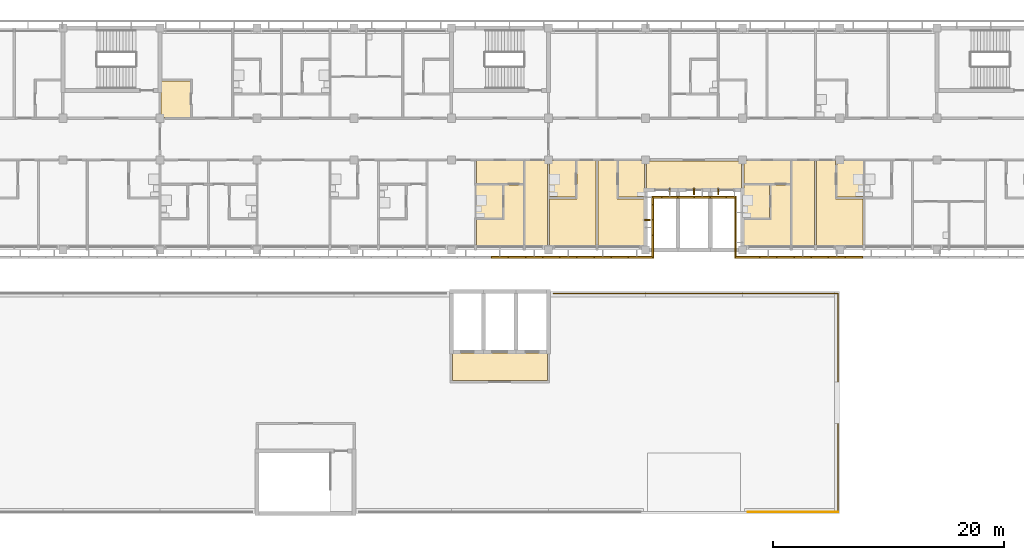
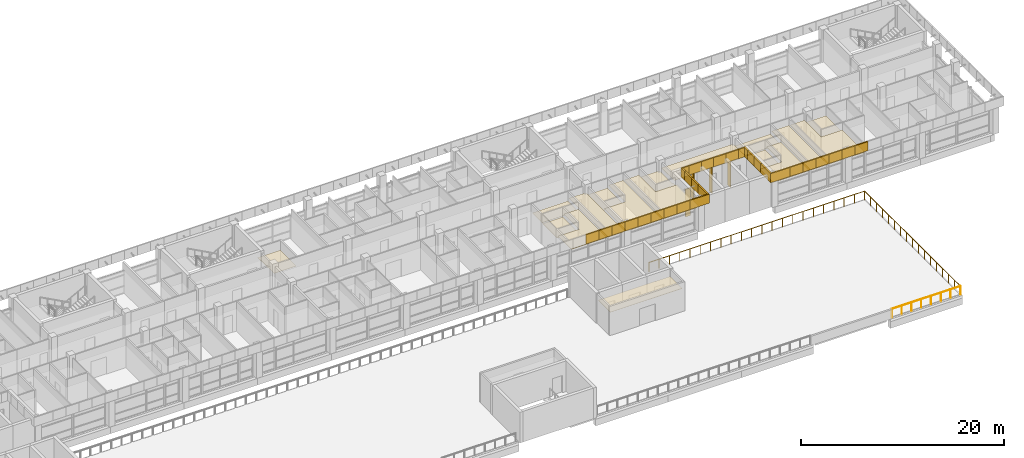
# One storey, part 42 of 46: 47 coverings, 4 shading devices, 2 railings.
"""IFC4 building model written with IfcOpenShell, lengths in metres."""

import ifcopenshell
import ifcopenshell.guid

model = None  # the IFC model being written
_history = None  # IfcOwnerHistory: only IFC2X3 demands one
_inside = {}  # id of a spatial element -> (the spatial element, [elements in it])
_under = {}  # id of a project, library or spatial element -> (it, [spatial elements below it])
_declared = {}  # id of a project -> (the project, [libraries it declares])
_typed = {}  # id of a type object -> (the type object, [elements of that type])
_made_of = {}  # id of a material, layer set ... -> (it, [elements and type objects made of it])


def new_model(schema):
    """Start an empty IFC model of exactly this schema.

    Asked for "IFC4X3", IfcOpenShell would pick the latest addendum, in which some entities
    have other attributes; the version numbers below select the first issue.
    IFC2X3 requires an IfcOwnerHistory on every rooted entity: one is made here for all.
    """
    global model, _history
    if schema == "IFC4X3":
        model = ifcopenshell.file(schema_version=(4, 3, 0, 0))
    else:
        model = ifcopenshell.file(schema=schema)
    _inside.clear()
    _under.clear()
    _declared.clear()
    _typed.clear()
    _made_of.clear()
    _history = None
    if model.schema == "IFC2X3":
        org = make("IfcOrganization", Name="unknown")
        user = make(
            "IfcPersonAndOrganization",
            ThePerson=make("IfcPerson", FamilyName="unknown"),
            TheOrganization=org,
        )
        app = make(
            "IfcApplication",
            ApplicationDeveloper=org,
            Version="unknown",
            ApplicationFullName="unknown",
            ApplicationIdentifier="unknown",
        )
        _history = make(
            "IfcOwnerHistory",
            OwningUser=user,
            OwningApplication=app,
            ChangeAction="ADDED",
            CreationDate=0,
        )
    return model


def make(cls, **values):
    """One entity of the class cls with the attributes given. An attribute that is None is left unset."""
    return model.create_entity(
        cls, **{name: value for name, value in values.items() if value is not None}
    )


def rooted(cls, **values):
    """An entity with a GlobalId (a new one), such as an element, a storey or a relation."""
    return make(cls, GlobalId=ifcopenshell.guid.new(), OwnerHistory=_history, **values)


def si_unit(unit_type, name, prefix=None):
    """IfcSIUnit, for example si_unit("LENGTHUNIT", "METRE", prefix="MILLI")."""
    return make("IfcSIUnit", UnitType=unit_type, Prefix=prefix, Name=name)


def assignment(units):
    """IfcUnitAssignment: the units of a project."""
    return None if units is None else make("IfcUnitAssignment", Units=units)


def point(xyz):
    """IfcCartesianPoint."""
    return None if xyz is None else make("IfcCartesianPoint", Coordinates=xyz)


def direction(xyz):
    """IfcDirection."""
    return None if xyz is None else make("IfcDirection", DirectionRatios=xyz)


def frame(location, z_axis=None, x_axis=None):
    """IfcAxis2Placement3D, a coordinate frame: its origin and axes. An axis left out is left unset."""
    return make(
        "IfcAxis2Placement3D",
        Location=point(location),
        Axis=direction(z_axis),
        RefDirection=direction(x_axis),
    )


def frame_2d(location, x_axis=None):
    """IfcAxis2Placement2D, a coordinate frame in the plane: its origin and x axis."""
    return make(
        "IfcAxis2Placement2D", Location=point(location), RefDirection=direction(x_axis)
    )


def origin():
    """The frame at (0, 0, 0) with its axes left unset."""
    return frame((0.0, 0.0, 0.0))


def origin_2d():
    """The frame at (0, 0) in the plane with its x axis left unset."""
    return frame_2d((0.0, 0.0))


def place(relative_to, where):
    """IfcLocalPlacement: puts the frame where relative to a parent placement (None: the world)."""
    return make(
        "IfcLocalPlacement", PlacementRelTo=relative_to, RelativePlacement=where
    )


def context(
    kind, dimensions, precision=None, world=None, true_north=None, identifier=None
):
    """IfcGeometricRepresentationContext, for example the 3D "Model" context."""
    return make(
        "IfcGeometricRepresentationContext",
        ContextIdentifier=identifier,
        ContextType=kind,
        CoordinateSpaceDimension=dimensions,
        Precision=precision,
        WorldCoordinateSystem=world,
        TrueNorth=true_north,
    )


def subcontext(parent, identifier, kind, view, scale=None):
    """IfcGeometricRepresentationSubContext, for example "Body" below "Model"."""
    return make(
        "IfcGeometricRepresentationSubContext",
        ContextIdentifier=identifier,
        ContextType=kind,
        ParentContext=parent,
        TargetScale=scale,
        TargetView=view,
    )


def project(units=None, contexts=None):
    """IfcProject with its units and contexts."""
    return rooted(
        "IfcProject",
        Name="project",
        RepresentationContexts=contexts,
        UnitsInContext=assignment(units),
    )


def spatial(cls, under=None, at=None, **own):
    """A site, building, storey or space (cls), placed at a placement, below another one or the project."""
    s = rooted(cls, ObjectPlacement=at, **own)
    if under is not None:
        _under.setdefault(under.id(), (under, []))[1].append(s)
    return s


def polyline(points):
    """IfcPolyline through the points."""
    return make("IfcPolyline", Points=[point(p) for p in points])


def profile(cls, at=None, kind="AREA", **sizes):
    """A parametric profile (cls). Its sizes go by their IFC names, for example OverallWidth=200.0."""
    return make(cls, ProfileType=kind, Position=at, **sizes)


def rectangle(**sizes):
    """IfcRectangleProfileDef."""
    return profile("IfcRectangleProfileDef", **sizes)


def circle(**sizes):
    """IfcCircleProfileDef."""
    return profile("IfcCircleProfileDef", **sizes)


def outline(outer, holes=None, kind="AREA"):
    """IfcArbitraryClosedProfileDef: a profile drawn as a closed curve; with holes, ...WithVoids."""
    if holes is None:
        return make("IfcArbitraryClosedProfileDef", ProfileType=kind, OuterCurve=outer)
    return make(
        "IfcArbitraryProfileDefWithVoids",
        ProfileType=kind,
        OuterCurve=outer,
        InnerCurves=holes,
    )


def extrude(swept, where, along, depth):
    """IfcExtrudedAreaSolid: the profile swept, set in the frame where, extruded along a direction by depth."""
    return make(
        "IfcExtrudedAreaSolid",
        SweptArea=swept,
        Position=where,
        ExtrudedDirection=direction(along),
        Depth=depth,
    )


def shape(context_of_items, identifier, shape_type, items):
    """IfcShapeRepresentation: the items that make up one representation, for example the "Body"."""
    return make(
        "IfcShapeRepresentation",
        ContextOfItems=context_of_items,
        RepresentationIdentifier=identifier,
        RepresentationType=shape_type,
        Items=items,
    )


def material(Name=None, Category=None):
    """IfcMaterial."""
    return make("IfcMaterial", Name=Name, Category=Category)


def layer(
    of_material, thickness, ventilated=None, Name=None, Category=None, Priority=None
):
    """IfcMaterialLayer: one layer of a wall or slab, of a material (None: an air gap)."""
    return make(
        "IfcMaterialLayer",
        Material=of_material,
        LayerThickness=thickness,
        IsVentilated=ventilated,
        Name=Name,
        Category=Category,
        Priority=Priority,
    )


def layer_set(layers, Name=None):
    """IfcMaterialLayerSet."""
    return make("IfcMaterialLayerSet", MaterialLayers=layers, LayerSetName=Name)


def material_profile(
    of_material, cross_section, Name=None, Category=None, Priority=None
):
    """IfcMaterialProfile: a cross section and its material."""
    return make(
        "IfcMaterialProfile",
        Name=Name,
        Material=of_material,
        Profile=cross_section,
        Priority=Priority,
        Category=Category,
    )


def profile_set(profiles, Name=None, composite=None):
    """IfcMaterialProfileSet."""
    return make(
        "IfcMaterialProfileSet",
        Name=Name,
        MaterialProfiles=profiles,
        CompositeProfile=composite,
    )


def made_of(thing, what):
    """Note that an element or type object is made of a material, layer set ...; save() writes the relation."""
    if what is not None:
        _made_of.setdefault(what.id(), (what, []))[1].append(thing)
    return thing


def type_object(cls, material=None, **own):
    """A type object (cls), such as IfcWallType, which elements share."""
    return made_of(rooted(cls, **own), material)


def element(
    cls,
    number,
    at=None,
    inside=None,
    cuts=None,
    type_object=None,
    material=None,
    context=None,
    identifier="Body",
    shape_type=None,
    held_by="IfcProductDefinitionShape",
    body=None,
    shapes=None,
    **own,
):
    """One element of the class cls, such as IfcWall. Its Tag is "e" and its number.

    at: its placement. inside: the storey or other place that contains it. cuts: it is an
    opening in that element (IfcRelVoidsElement). A single representation is given by context,
    identifier, shape_type and body (its items); several are given by shapes. held_by: the class
    of the entity that holds the representations. save() writes the other relations.
    """
    e = rooted(cls, Tag="e%d" % number, ObjectPlacement=at, **own)
    if body is not None:
        shapes = [shape(context, identifier, shape_type, body)]
    if shapes is not None:
        e.Representation = make(held_by, Representations=shapes)
    if inside is not None:
        _inside.setdefault(inside.id(), (inside, []))[1].append(e)
    if cuts is not None:
        rooted(
            "IfcRelVoidsElement", RelatingBuildingElement=cuts, RelatedOpeningElement=e
        )
    if type_object is not None:
        _typed.setdefault(type_object.id(), (type_object, []))[1].append(e)
    return made_of(e, material)


def aggregate(whole, parts):
    """IfcRelAggregates: a whole, such as a stair, and the parts it consists of."""
    return rooted("IfcRelAggregates", RelatingObject=whole, RelatedObjects=parts)


def save(model, path):
    """Write the relations noted so far, then the file.

    IfcRelAggregates (storeys below a building ...), IfcRelContainedInSpatialStructure (elements
    in a storey), IfcRelDefinesByType, IfcRelAssociatesMaterial and IfcRelDeclares: one each for
    every whole, place, type object, material and project.
    """
    for whole, parts in _under.values():
        aggregate(whole, parts)
    for where, things in _inside.values():
        rooted(
            "IfcRelContainedInSpatialStructure",
            RelatedElements=things,
            RelatingStructure=where,
        )
    for kind, things in _typed.values():
        rooted("IfcRelDefinesByType", RelatedObjects=things, RelatingType=kind)
    for what, things in _made_of.values():
        rooted("IfcRelAssociatesMaterial", RelatedObjects=things, RelatingMaterial=what)
    for by, libraries in _declared.values():
        rooted("IfcRelDeclares", RelatingContext=by, RelatedDefinitions=libraries)
    model.write(path)


model = new_model("IFC4")

# Units and contexts
model_context = context("Model", 3, precision=1e-05, world=origin(), true_north=direction((0.0, 1.0)))
body_context = subcontext(model_context, "Body", "Model", "MODEL_VIEW")
ifc_project = project(units=[si_unit("LENGTHUNIT", "METRE"), si_unit("AREAUNIT", "SQUARE_METRE"), si_unit("VOLUMEUNIT", "CUBIC_METRE"), si_unit("PLANEANGLEUNIT", "RADIAN"), si_unit("MASSUNIT", "GRAM", prefix="KILO")], contexts=[model_context])

# Site, building, storey
site_placement = place(None, origin())
site = spatial("IfcSite", under=ifc_project, at=site_placement, CompositionType="ELEMENT")
building_placement = place(site_placement, origin())
building = spatial("IfcBuilding", under=site, at=building_placement, Name="Bougainvillea Quay General Hospital", CompositionType="ELEMENT")
storey_placement = place(building_placement, frame((0.0, 0.0, 28.800048828125)))
storey = spatial("IfcBuildingStorey", under=building, at=storey_placement, Name="L06", CompositionType="ELEMENT", Elevation=28.800048828125)

# Coverings
ifc_material_1 = material(Name="Powder-coated aluminium fascia, white", Category="aluminium")
ifc_layer_1 = layer(ifc_material_1, 0.14990234375)
ifc_layer_set_1 = layer_set([ifc_layer_1], Name="Powder-coated aluminium fascia, white")
covering_type_1 = type_object("IfcCoveringType", Name="Aluminium fascia band white 150x1100", PredefinedType="CLADDING", material=ifc_layer_set_1)
covering_1_placement = place(storey_placement, frame((137.85888671875, 139.85009765625, 3.349853515625), z_axis=(0.0, 0.0, 1.0), x_axis=(1.0, 0.0, 0.0)))
element("IfcCovering", 1, at=covering_1_placement, inside=storey, type_object=covering_type_1, Name="Fascia band white e0 183", PredefinedType="CLADDING", context=body_context, shape_type="SweptSolid", body=[
    extrude(outline(polyline([(0.0, 0.0), (1.482177734375, 0.0), (1.482177734375, -0.150146484375), (0.0, -0.150146484375), (0.0, 0.0)])), origin(), (0.0, 0.0, 1.0), 1.10009765625),
])
for number, where, z_axis, x_axis, name in (
    (2, (139.341064453125, 139.85009765625, 3.349853515625), (0.0, 0.0, 1.0), (1.0, 0.0, 0.0), "Fascia band white e0 184"),
    (3, (140.823486328125, 139.85009765625, 3.349853515625), (0.0, 0.0, 1.0), (1.0, 0.0, 0.0), "Fascia band white e0 185"),
    (4, (142.305908203125, 139.85009765625, 3.349853515625), (0.0, 0.0, 1.0), (1.0, 0.0, 0.0), "Fascia band white e0 186"),
):
    element("IfcCovering", number, at=place(storey_placement, frame(where, z_axis=z_axis, x_axis=x_axis)), inside=storey, type_object=covering_type_1, Name=name, PredefinedType="CLADDING", context=body_context, shape_type="SweptSolid", body=[
        extrude(outline(polyline([(0.0, 0.0), (1.482421875, 0.0), (1.482421875, -0.150146484375), (0.0, -0.150146484375), (0.0, 0.0)])), origin(), (0.0, 0.0, 1.0), 1.10009765625),
    ])
covering_2_placement = place(storey_placement, frame((143.788330078125, 139.85009765625, 3.349853515625), z_axis=(0.0, 0.0, 1.0), x_axis=(1.0, 0.0, 0.0)))
element("IfcCovering", 5, at=covering_2_placement, inside=storey, type_object=covering_type_1, Name="Fascia band white e0 187", PredefinedType="CLADDING", context=body_context, shape_type="SweptSolid", body=[
    extrude(outline(polyline([(0.0, 0.0), (1.482177734375, 0.0), (1.482177734375, -0.150146484375), (0.0, -0.150146484375), (0.0, 0.0)])), origin(), (0.0, 0.0, 1.0), 1.10009765625),
])
for number, where, z_axis, x_axis, name in (
    (6, (145.2705078125, 139.85009765625, 3.349853515625), (0.0, 0.0, 1.0), (1.0, 0.0, 0.0), "Fascia band white e0 188"),
    (7, (146.7529296875, 139.85009765625, 3.349853515625), (0.0, 0.0, 1.0), (1.0, 0.0, 0.0), "Fascia band white e0 189"),
):
    element("IfcCovering", number, at=place(storey_placement, frame(where, z_axis=z_axis, x_axis=x_axis)), inside=storey, type_object=covering_type_1, Name=name, PredefinedType="CLADDING", context=body_context, shape_type="SweptSolid", body=[
        extrude(outline(polyline([(0.0, 0.0), (1.482421875, 0.0), (1.482421875, -0.150146484375), (0.0, -0.150146484375), (0.0, 0.0)])), origin(), (0.0, 0.0, 1.0), 1.10009765625),
    ])
covering_3_placement = place(storey_placement, frame((148.2353515625, 139.85009765625, 3.349853515625), z_axis=(0.0, 0.0, 1.0), x_axis=(1.0, 0.0, 0.0)))
element("IfcCovering", 8, at=covering_3_placement, inside=storey, type_object=covering_type_1, Name="Fascia band white e0 190", PredefinedType="CLADDING", context=body_context, shape_type="SweptSolid", body=[
    extrude(outline(polyline([(0.0, 0.0), (1.482177734375, 0.0), (1.482177734375, -0.150146484375), (0.0, -0.150146484375), (0.0, 0.0)])), origin(), (0.0, 0.0, 1.0), 1.10009765625),
])
covering_4_placement = place(storey_placement, frame((149.717529296875, 139.85009765625, 3.349853515625), z_axis=(0.0, 0.0, 1.0), x_axis=(1.0, 0.0, 0.0)))
element("IfcCovering", 9, at=covering_4_placement, inside=storey, type_object=covering_type_1, Name="Fascia band white e0 191", PredefinedType="CLADDING", context=body_context, shape_type="SweptSolid", body=[
    extrude(outline(polyline([(0.0, 0.0), (2.032470703125, 0.0), (2.182373046875, -0.150146484375), (0.0, -0.150146484375), (0.0, 0.0)])), origin(), (0.0, 0.0, 1.0), 1.10009765625),
])
covering_5_placement = place(storey_placement, frame((151.75, 139.85009765625, 3.349853515625), z_axis=(0.0, 0.0, 1.0), x_axis=(0.0, 1.0, 0.0)))
element("IfcCovering", 10, at=covering_5_placement, inside=storey, type_object=covering_type_1, Name="Fascia band white e0 192", PredefinedType="CLADDING", context=body_context, shape_type="SweptSolid", body=[
    extrude(outline(polyline([(0.0, 0.0), (1.849853515625, 0.0), (1.849853515625, -0.14990234375), (-0.150146484375, -0.14990234375), (0.0, 0.0)])), origin(), (0.0, 0.0, 1.0), 1.10009765625),
])
for number, where, z_axis, x_axis, name in (
    (11, (151.75, 141.699951171875, 3.349853515625), (0.0, 0.0, 1.0), (0.0, 1.0, 0.0), "Fascia band white e0 193"),
    (12, (151.75, 143.0, 3.349853515625), (0.0, 0.0, 1.0), (0.0, 1.0, 0.0), "Fascia band white e0 194"),
):
    element("IfcCovering", number, at=place(storey_placement, frame(where, z_axis=z_axis, x_axis=x_axis)), inside=storey, type_object=covering_type_1, Name=name, PredefinedType="CLADDING", context=body_context, shape_type="SweptSolid", body=[
        extrude(outline(polyline([(0.0, 0.0), (1.300048828125, 0.0), (1.300048828125, -0.14990234375), (0.0, -0.14990234375), (0.0, 0.0)])), origin(), (0.0, 0.0, 1.0), 1.10009765625),
    ])
covering_6_placement = place(storey_placement, frame((151.75, 144.300048828125, 3.349853515625), z_axis=(0.0, 0.0, 1.0), x_axis=(0.0, 1.0, 0.0)))
element("IfcCovering", 13, at=covering_6_placement, inside=storey, type_object=covering_type_1, Name="Fascia band white e0 195", PredefinedType="CLADDING", context=body_context, shape_type="SweptSolid", body=[
    extrude(outline(polyline([(0.0, 0.0), (0.75, 0.0), (0.599853515625, -0.14990234375), (0.0, -0.14990234375), (0.0, 0.0)])), origin(), (0.0, 0.0, 1.0), 1.10009765625),
])
covering_7_placement = place(storey_placement, frame((151.75, 145.050048828125, 3.349853515625), z_axis=(0.0, 0.0, 1.0), x_axis=(1.0, 0.0, 0.0)))
element("IfcCovering", 14, at=covering_7_placement, inside=storey, type_object=covering_type_1, Name="Fascia band white e0 196", PredefinedType="CLADDING", context=body_context, shape_type="SweptSolid", body=[
    extrude(outline(polyline([(0.0, 0.0), (0.85009765625, 0.0), (0.85009765625, -0.150146484375), (0.14990234375, -0.150146484375), (0.0, 0.0)])), origin(), (0.0, 0.0, 1.0), 1.10009765625),
])
for number, where, z_axis, x_axis, name in (
    (15, (152.60009765625, 145.050048828125, 3.349853515625), (0.0, 0.0, 1.0), (1.0, 0.0, 0.0), "Fascia band white e0 197"),
    (16, (154.0, 145.050048828125, 3.349853515625), (0.0, 0.0, 1.0), (1.0, 0.0, 0.0), "Fascia band white e0 198"),
):
    element("IfcCovering", number, at=place(storey_placement, frame(where, z_axis=z_axis, x_axis=x_axis)), inside=storey, type_object=covering_type_1, Name=name, PredefinedType="CLADDING", context=body_context, shape_type="SweptSolid", body=[
        extrude(outline(polyline([(0.0, 0.0), (1.39990234375, 0.0), (1.39990234375, -0.150146484375), (0.0, -0.150146484375), (0.0, 0.0)])), origin(), (0.0, 0.0, 1.0), 1.10009765625),
    ])
covering_8_placement = place(storey_placement, frame((155.39990234375, 145.050048828125, 3.349853515625), z_axis=(0.0, 0.0, 1.0), x_axis=(1.0, 0.0, 0.0)))
element("IfcCovering", 17, at=covering_8_placement, inside=storey, type_object=covering_type_1, Name="Fascia band white e0 199", PredefinedType="CLADDING", context=body_context, shape_type="SweptSolid", body=[
    extrude(outline(polyline([(0.0, 0.0), (1.400146484375, 0.0), (1.400146484375, -0.150146484375), (0.0, -0.150146484375), (0.0, 0.0)])), origin(), (0.0, 0.0, 1.0), 1.10009765625),
])
covering_9_placement = place(storey_placement, frame((156.800048828125, 145.050048828125, 3.349853515625), z_axis=(0.0, 0.0, 1.0), x_axis=(1.0, 0.0, 0.0)))
element("IfcCovering", 18, at=covering_9_placement, inside=storey, type_object=covering_type_1, Name="Fascia band white e0 200", PredefinedType="CLADDING", context=body_context, shape_type="SweptSolid", body=[
    extrude(outline(polyline([(0.0, 0.0), (1.39990234375, 0.0), (1.39990234375, -0.150146484375), (0.0, -0.150146484375), (0.0, 0.0)])), origin(), (0.0, 0.0, 1.0), 1.10009765625),
])
covering_10_placement = place(storey_placement, frame((158.199951171875, 145.050048828125, 3.349853515625), z_axis=(0.0, 0.0, 1.0), x_axis=(1.0, 0.0, 0.0)))
element("IfcCovering", 19, at=covering_10_placement, inside=storey, type_object=covering_type_1, Name="Fascia band white e0 201", PredefinedType="CLADDING", context=body_context, shape_type="SweptSolid", body=[
    extrude(outline(polyline([(0.0, 0.0), (0.85009765625, 0.0), (0.699951171875, -0.150146484375), (0.0, -0.150146484375), (0.0, 0.0)])), origin(), (0.0, 0.0, 1.0), 1.10009765625),
])
covering_11_placement = place(storey_placement, frame((159.050048828125, 145.050048828125, 3.349853515625), z_axis=(0.0, 0.0, 1.0), x_axis=(0.0, -1.0, 0.0)))
element("IfcCovering", 20, at=covering_11_placement, inside=storey, type_object=covering_type_1, Name="Fascia band white e0 202", PredefinedType="CLADDING", context=body_context, shape_type="SweptSolid", body=[
    extrude(outline(polyline([(0.0, 0.0), (0.75, 0.0), (0.75, -0.150146484375), (0.150146484375, -0.150146484375), (0.0, 0.0)])), origin(), (0.0, 0.0, 1.0), 1.10009765625),
])
for number, where, z_axis, x_axis, name in (
    (21, (159.050048828125, 144.300048828125, 3.349853515625), (0.0, 0.0, 1.0), (0.0, -1.0, 0.0), "Fascia band white e0 203"),
    (22, (159.050048828125, 143.0, 3.349853515625), (0.0, 0.0, 1.0), (0.0, -1.0, 0.0), "Fascia band white e0 204"),
):
    element("IfcCovering", number, at=place(storey_placement, frame(where, z_axis=z_axis, x_axis=x_axis)), inside=storey, type_object=covering_type_1, Name=name, PredefinedType="CLADDING", context=body_context, shape_type="SweptSolid", body=[
        extrude(outline(polyline([(0.0, 0.0), (1.300048828125, 0.0), (1.300048828125, -0.150146484375), (0.0, -0.150146484375), (0.0, 0.0)])), origin(), (0.0, 0.0, 1.0), 1.10009765625),
    ])
covering_12_placement = place(storey_placement, frame((159.050048828125, 141.699951171875, 3.349853515625), z_axis=(0.0, 0.0, 1.0), x_axis=(0.0, -1.0, 0.0)))
element("IfcCovering", 23, at=covering_12_placement, inside=storey, type_object=covering_type_1, Name="Fascia band white e0 205", PredefinedType="CLADDING", context=body_context, shape_type="SweptSolid", body=[
    extrude(outline(polyline([(0.0, 0.0), (1.849853515625, 0.0), (2.0, -0.150146484375), (0.0, -0.150146484375), (0.0, 0.0)])), origin(), (0.0, 0.0, 1.0), 1.10009765625),
])
covering_13_placement = place(storey_placement, frame((159.050048828125, 139.85009765625, 3.349853515625), z_axis=(0.0, 0.0, 1.0), x_axis=(1.0, 0.0, 0.0)))
element("IfcCovering", 24, at=covering_13_placement, inside=storey, type_object=covering_type_1, Name="Fascia band white e0 206", PredefinedType="CLADDING", context=body_context, shape_type="SweptSolid", body=[
    extrude(outline(polyline([(0.0, 0.0), (2.0322265625, 0.0), (2.0322265625, -0.150146484375), (-0.150146484375, -0.150146484375), (0.0, 0.0)])), origin(), (0.0, 0.0, 1.0), 1.10009765625),
])
for number, where, z_axis, x_axis, name in (
    (25, (161.082275390625, 139.85009765625, 3.349853515625), (0.0, 0.0, 1.0), (1.0, 0.0, 0.0), "Fascia band white e0 207"),
    (26, (162.564697265625, 139.85009765625, 3.349853515625), (0.0, 0.0, 1.0), (1.0, 0.0, 0.0), "Fascia band white e0 208"),
):
    element("IfcCovering", number, at=place(storey_placement, frame(where, z_axis=z_axis, x_axis=x_axis)), inside=storey, type_object=covering_type_1, Name=name, PredefinedType="CLADDING", context=body_context, shape_type="SweptSolid", body=[
        extrude(outline(polyline([(0.0, 0.0), (1.482421875, 0.0), (1.482421875, -0.150146484375), (0.0, -0.150146484375), (0.0, 0.0)])), origin(), (0.0, 0.0, 1.0), 1.10009765625),
    ])
covering_14_placement = place(storey_placement, frame((164.047119140625, 139.85009765625, 3.349853515625), z_axis=(0.0, 0.0, 1.0), x_axis=(1.0, 0.0, 0.0)))
element("IfcCovering", 27, at=covering_14_placement, inside=storey, type_object=covering_type_1, Name="Fascia band white e0 209", PredefinedType="CLADDING", context=body_context, shape_type="SweptSolid", body=[
    extrude(outline(polyline([(0.0, 0.0), (1.482177734375, 0.0), (1.482177734375, -0.150146484375), (0.0, -0.150146484375), (0.0, 0.0)])), origin(), (0.0, 0.0, 1.0), 1.10009765625),
])
for number, where, z_axis, x_axis, name in (
    (28, (165.529296875, 139.85009765625, 3.349853515625), (0.0, 0.0, 1.0), (1.0, 0.0, 0.0), "Fascia band white e0 210"),
    (29, (167.01171875, 139.85009765625, 3.349853515625), (0.0, 0.0, 1.0), (1.0, 0.0, 0.0), "Fascia band white e0 211"),
    (30, (168.494140625, 139.85009765625, 3.349853515625), (0.0, 0.0, 1.0), (1.0, 0.0, 0.0), "Fascia band white e0 212"),
):
    element("IfcCovering", number, at=place(storey_placement, frame(where, z_axis=z_axis, x_axis=x_axis)), inside=storey, type_object=covering_type_1, Name=name, PredefinedType="CLADDING", context=body_context, shape_type="SweptSolid", body=[
        extrude(outline(polyline([(0.0, 0.0), (1.482421875, 0.0), (1.482421875, -0.150146484375), (0.0, -0.150146484375), (0.0, 0.0)])), origin(), (0.0, 0.0, 1.0), 1.10009765625),
    ])

# Railings
ifc_material_2 = material(Name="Stainless steel guard, brushed grade 316", Category="steel")
railing_type = type_object("IfcRailingType", Name="Stainless steel guard 1100", PredefinedType="GUARDRAIL", material=ifc_material_2)
railing_1_placement = place(storey_placement, frame((167.85009765625, 117.75, 0.0)))
element("IfcRailing", 31, at=railing_1_placement, inside=storey, type_object=railing_type, Name="Guard G00", PredefinedType="GUARDRAIL", context=body_context, shape_type="SweptSolid", body=[
    extrude(circle(Radius=0.02392578125, at=origin_2d()), frame((0.0, 0.0, 1.076171875), z_axis=(-1.0, 0.0, 0.0), x_axis=(0.0, -1.0, 0.0)), (0.0, 0.0, 1.0), 7.800048828125),
    extrude(circle(Radius=0.02099609375, at=origin_2d()), origin(), (0.0, 0.0, 1.0), 1.052001953125),
    extrude(circle(Radius=0.02099609375, at=origin_2d()), frame((-1.1142578125, 0.0, 0.0)), (0.0, 0.0, 1.0), 1.052001953125),
    extrude(circle(Radius=0.02099609375, at=origin_2d()), frame((-2.228515625, 0.0, 0.0)), (0.0, 0.0, 1.0), 1.052001953125),
    extrude(circle(Radius=0.02099609375, at=origin_2d()), frame((-3.3427734375, 0.0, 0.0)), (0.0, 0.0, 1.0), 1.052001953125),
    extrude(circle(Radius=0.02099609375, at=origin_2d()), frame((-4.457275390625, 0.0, 0.0)), (0.0, 0.0, 1.0), 1.052001953125),
    extrude(circle(Radius=0.02099609375, at=origin_2d()), frame((-5.571533203125, 0.0, 0.0)), (0.0, 0.0, 1.0), 1.052001953125),
    extrude(circle(Radius=0.02099609375, at=origin_2d()), frame((-6.685791015625, 0.0, 0.0)), (0.0, 0.0, 1.0), 1.052001953125),
    extrude(circle(Radius=0.02099609375, at=origin_2d()), frame((-7.800048828125, 0.0, 0.0)), (0.0, 0.0, 1.0), 1.052001953125),
])
railing_2_placement = place(storey_placement, frame((143.25, 136.64990234375, 0.0)))
element("IfcRailing", 32, at=railing_2_placement, inside=storey, type_object=railing_type, Name="Guard G06", PredefinedType="GUARDRAIL", context=body_context, shape_type="SweptSolid", body=[
    extrude(circle(Radius=0.02392578125, at=origin_2d()), frame((0.0, 0.0, 1.076171875), z_axis=(1.0, 0.0, 0.0), x_axis=(0.0, 1.0, 0.0)), (0.0, 0.0, 1.0), 24.60009765625),
    extrude(circle(Radius=0.02392578125, at=origin_2d()), frame((24.60009765625, 0.0, 1.076171875), z_axis=(0.0, -1.0, 0.0), x_axis=(1.0, 0.0, 0.0)), (0.0, 0.0, 1.0), 18.89990234375),
    extrude(circle(Radius=0.02099609375, at=origin_2d()), origin(), (0.0, 0.0, 1.0), 1.052001953125),
    extrude(circle(Radius=0.02099609375, at=origin_2d()), frame((1.17138671875, 0.0, 0.0)), (0.0, 0.0, 1.0), 1.052001953125),
    extrude(circle(Radius=0.02099609375, at=origin_2d()), frame((2.3427734375, 0.0, 0.0)), (0.0, 0.0, 1.0), 1.052001953125),
    extrude(circle(Radius=0.02099609375, at=origin_2d()), frame((3.514404296875, 0.0, 0.0)), (0.0, 0.0, 1.0), 1.052001953125),
    extrude(circle(Radius=0.02099609375, at=origin_2d()), frame((4.685791015625, 0.0, 0.0)), (0.0, 0.0, 1.0), 1.052001953125),
    extrude(circle(Radius=0.02099609375, at=origin_2d()), frame((5.857177734375, 0.0, 0.0)), (0.0, 0.0, 1.0), 1.052001953125),
    extrude(circle(Radius=0.02099609375, at=origin_2d()), frame((7.028564453125, 0.0, 0.0)), (0.0, 0.0, 1.0), 1.052001953125),
    extrude(circle(Radius=0.02099609375, at=origin_2d()), frame((8.199951171875, 0.0, 0.0)), (0.0, 0.0, 1.0), 1.052001953125),
    extrude(circle(Radius=0.02099609375, at=origin_2d()), frame((9.37158203125, 0.0, 0.0)), (0.0, 0.0, 1.0), 1.052001953125),
    extrude(circle(Radius=0.02099609375, at=origin_2d()), frame((10.54296875, 0.0, 0.0)), (0.0, 0.0, 1.0), 1.052001953125),
    extrude(circle(Radius=0.02099609375, at=origin_2d()), frame((11.71435546875, 0.0, 0.0)), (0.0, 0.0, 1.0), 1.052001953125),
    extrude(circle(Radius=0.02099609375, at=origin_2d()), frame((12.8857421875, 0.0, 0.0)), (0.0, 0.0, 1.0), 1.052001953125),
    extrude(circle(Radius=0.02099609375, at=origin_2d()), frame((14.05712890625, 0.0, 0.0)), (0.0, 0.0, 1.0), 1.052001953125),
    extrude(circle(Radius=0.02099609375, at=origin_2d()), frame((15.228515625, 0.0, 0.0)), (0.0, 0.0, 1.0), 1.052001953125),
    extrude(circle(Radius=0.02099609375, at=origin_2d()), frame((16.400146484375, 0.0, 0.0)), (0.0, 0.0, 1.0), 1.052001953125),
    extrude(circle(Radius=0.02099609375, at=origin_2d()), frame((17.571533203125, 0.0, 0.0)), (0.0, 0.0, 1.0), 1.052001953125),
    extrude(circle(Radius=0.02099609375, at=origin_2d()), frame((18.742919921875, 0.0, 0.0)), (0.0, 0.0, 1.0), 1.052001953125),
    extrude(circle(Radius=0.02099609375, at=origin_2d()), frame((19.914306640625, 0.0, 0.0)), (0.0, 0.0, 1.0), 1.052001953125),
    extrude(circle(Radius=0.02099609375, at=origin_2d()), frame((21.085693359375, 0.0, 0.0)), (0.0, 0.0, 1.0), 1.052001953125),
    extrude(circle(Radius=0.02099609375, at=origin_2d()), frame((22.25732421875, 0.0, 0.0)), (0.0, 0.0, 1.0), 1.052001953125),
    extrude(circle(Radius=0.02099609375, at=origin_2d()), frame((23.4287109375, 0.0, 0.0)), (0.0, 0.0, 1.0), 1.052001953125),
    extrude(circle(Radius=0.02099609375, at=origin_2d()), frame((24.60009765625, 0.0, 0.0)), (0.0, 0.0, 1.0), 1.052001953125),
    extrude(circle(Radius=0.02099609375, at=origin_2d()), frame((24.60009765625, -1.18115234375, 0.0)), (0.0, 0.0, 1.0), 1.052001953125),
    extrude(circle(Radius=0.02099609375, at=origin_2d()), frame((24.60009765625, -2.362548828125, 0.0)), (0.0, 0.0, 1.0), 1.052001953125),
    extrude(circle(Radius=0.02099609375, at=origin_2d()), frame((24.60009765625, -3.543701171875, 0.0)), (0.0, 0.0, 1.0), 1.052001953125),
    extrude(circle(Radius=0.02099609375, at=origin_2d()), frame((24.60009765625, -4.72509765625, 0.0)), (0.0, 0.0, 1.0), 1.052001953125),
    extrude(circle(Radius=0.02099609375, at=origin_2d()), frame((24.60009765625, -5.90625, 0.0)), (0.0, 0.0, 1.0), 1.052001953125),
    extrude(circle(Radius=0.02099609375, at=origin_2d()), frame((24.60009765625, -7.08740234375, 0.0)), (0.0, 0.0, 1.0), 1.052001953125),
    extrude(circle(Radius=0.02099609375, at=origin_2d()), frame((24.60009765625, -8.268798828125, 0.0)), (0.0, 0.0, 1.0), 1.052001953125),
    extrude(circle(Radius=0.02099609375, at=origin_2d()), frame((24.60009765625, -9.449951171875, 0.0)), (0.0, 0.0, 1.0), 1.052001953125),
    extrude(circle(Radius=0.02099609375, at=origin_2d()), frame((24.60009765625, -10.631103515625, 0.0)), (0.0, 0.0, 1.0), 1.052001953125),
    extrude(circle(Radius=0.02099609375, at=origin_2d()), frame((24.60009765625, -11.8125, 0.0)), (0.0, 0.0, 1.0), 1.052001953125),
    extrude(circle(Radius=0.02099609375, at=origin_2d()), frame((24.60009765625, -12.99365234375, 0.0)), (0.0, 0.0, 1.0), 1.052001953125),
    extrude(circle(Radius=0.02099609375, at=origin_2d()), frame((24.60009765625, -14.1748046875, 0.0)), (0.0, 0.0, 1.0), 1.052001953125),
    extrude(circle(Radius=0.02099609375, at=origin_2d()), frame((24.60009765625, -15.356201171875, 0.0)), (0.0, 0.0, 1.0), 1.052001953125),
    extrude(circle(Radius=0.02099609375, at=origin_2d()), frame((24.60009765625, -16.537353515625, 0.0)), (0.0, 0.0, 1.0), 1.052001953125),
    extrude(circle(Radius=0.02099609375, at=origin_2d()), frame((24.60009765625, -17.71875, 0.0)), (0.0, 0.0, 1.0), 1.052001953125),
    extrude(circle(Radius=0.02099609375, at=origin_2d()), frame((24.60009765625, -18.89990234375, 0.0)), (0.0, 0.0, 1.0), 1.052001953125),
])

# Coverings
ifc_material_3 = material(Name="Mineral fibre ceiling tile")
ifc_layer_2 = layer(ifc_material_3, 0.030029296875)
ifc_layer_set_2 = layer_set([ifc_layer_2], Name="Mineral fibre ceiling tile")
covering_type_2 = type_object("IfcCoveringType", Name="Suspended ceiling mineral fibre tile", PredefinedType="CEILING", material=ifc_layer_set_2)
covering_15_placement = place(storey_placement, frame((0.0, 0.0, 2.699951171875)))
element("IfcCovering", 33, at=covering_15_placement, inside=storey, type_object=covering_type_2, Name="Ceiling Lift Lobby LB-A2 (Fire-fighting)", PredefinedType="CEILING", context=body_context, shape_type="SweptSolid", body=[
    extrude(outline(polyline([(159.5, 145.60009765625), (159.5, 148.10009765625), (151.300048828125, 148.10009765625), (151.300048828125, 145.60009765625), (159.5, 145.60009765625)])), origin(), (0.0, 0.0, 1.0), 0.030029296875),
])
covering_16_placement = place(storey_placement, frame((0.0, 0.0, 2.699951171875)))
element("IfcCovering", 34, at=covering_16_placement, inside=storey, type_object=covering_type_2, Name="Ceiling Lift Lobby LB-B2 (Fire-fighting)", PredefinedType="CEILING", context=body_context, shape_type="SweptSolid", body=[
    extrude(outline(polyline([(142.699951171875, 131.5), (134.5, 131.5), (134.5, 129.10009765625), (142.699951171875, 129.10009765625), (142.699951171875, 131.5)])), origin(), (0.0, 0.0, 1.0), 0.030029296875),
])
covering_17_placement = place(storey_placement, frame((0.0, 0.0, 2.699951171875)))
element("IfcCovering", 35, at=covering_17_placement, inside=storey, type_object=covering_type_2, Name="Ceiling Airborne Isolation Room 06A29", PredefinedType="CEILING", context=body_context, shape_type="SweptSolid", body=[
    extrude(outline(polyline([(140.625, 140.39990234375), (140.625, 146.02490234375), (138.97509765625, 146.02490234375), (138.97509765625, 143.02490234375), (136.574951171875, 143.02490234375), (136.574951171875, 140.39990234375), (140.625, 140.39990234375)])), origin(), (0.0, 0.0, 1.0), 0.030029296875),
])
covering_18_placement = place(storey_placement, frame((0.0, 0.0, 2.39990234375)))
element("IfcCovering", 36, at=covering_18_placement, inside=storey, type_object=covering_type_2, Name="Ceiling Isolation Anteroom 06A29", PredefinedType="CEILING", context=body_context, shape_type="SweptSolid", body=[
    extrude(outline(polyline([(140.625, 146.175048828125), (140.625, 148.125), (136.574951171875, 148.125), (136.574951171875, 146.175048828125), (140.625, 146.175048828125)])), origin(), (0.0, 0.0, 1.0), 0.030029296875),
])
covering_19_placement = place(storey_placement, frame((0.0, 0.0, 2.39990234375)))
element("IfcCovering", 37, at=covering_19_placement, inside=storey, type_object=covering_type_2, Name="Ceiling En-suite 06A29", PredefinedType="CEILING", context=body_context, shape_type="SweptSolid", body=[
    extrude(outline(polyline([(136.550048828125, 143.175048828125), (138.824951171875, 143.175048828125), (138.824951171875, 146.02490234375), (136.550048828125, 146.02490234375), (136.550048828125, 143.175048828125)])), origin(), (0.0, 0.0, 1.0), 0.030029296875),
])
covering_20_placement = place(storey_placement, frame((0.0, 0.0, 2.699951171875)))
element("IfcCovering", 38, at=covering_20_placement, inside=storey, type_object=covering_type_2, Name="Ceiling Dirty Utility and Sluice Room 06A30", PredefinedType="CEILING", context=body_context, shape_type="SweptSolid", body=[
    extrude(outline(polyline([(142.699951171875, 140.39990234375), (142.699951171875, 148.125), (140.77490234375, 148.125), (140.77490234375, 140.39990234375), (142.699951171875, 140.39990234375)])), origin(), (0.0, 0.0, 1.0), 0.030029296875),
])
covering_21_placement = place(storey_placement, frame((0.0, 0.0, 2.39990234375)))
element("IfcCovering", 39, at=covering_21_placement, inside=storey, type_object=covering_type_2, Name="Ceiling En-suite 06A31", PredefinedType="CEILING", context=body_context, shape_type="SweptSolid", body=[
    extrude(outline(polyline([(109.300048828125, 154.300048828125), (109.300048828125, 151.875), (111.824951171875, 151.875), (111.824951171875, 155.02490234375), (109.25, 155.02490234375), (109.25, 154.300048828125), (109.300048828125, 154.300048828125)])), origin(), (0.0, 0.0, 1.0), 0.030029296875),
])
covering_22_placement = place(storey_placement, frame((0.0, 0.0, 2.699951171875)))
element("IfcCovering", 40, at=covering_22_placement, inside=storey, type_object=covering_type_2, Name="Ceiling Oncology Patient Room 06A36", PredefinedType="CEILING", context=body_context, shape_type="SweptSolid", body=[
    extrude(outline(polyline([(146.925048828125, 140.39990234375), (146.925048828125, 148.125), (145.27490234375, 148.125), (145.27490234375, 144.824951171875), (142.89990234375, 144.824951171875), (142.89990234375, 140.39990234375), (146.925048828125, 140.39990234375)])), origin(), (0.0, 0.0, 1.0), 0.030029296875),
])
covering_23_placement = place(storey_placement, frame((0.0, 0.0, 2.39990234375)))
element("IfcCovering", 41, at=covering_23_placement, inside=storey, type_object=covering_type_2, Name="Ceiling En-suite 06A36", PredefinedType="CEILING", context=body_context, shape_type="SweptSolid", body=[
    extrude(outline(polyline([(142.89990234375, 144.97509765625), (145.125, 144.97509765625), (145.125, 148.125), (142.89990234375, 148.125), (142.89990234375, 144.97509765625)])), origin(), (0.0, 0.0, 1.0), 0.030029296875),
])
covering_24_placement = place(storey_placement, frame((0.0, 0.0, 2.699951171875)))
element("IfcCovering", 42, at=covering_24_placement, inside=storey, type_object=covering_type_2, Name="Ceiling Oncology Patient Room 06A37", PredefinedType="CEILING", context=body_context, shape_type="SweptSolid", body=[
    extrude(outline(polyline([(151.199951171875, 140.39990234375), (151.199951171875, 144.824951171875), (148.72509765625, 144.824951171875), (148.72509765625, 148.125), (147.074951171875, 148.125), (147.074951171875, 140.39990234375), (151.199951171875, 140.39990234375)])), origin(), (0.0, 0.0, 1.0), 0.030029296875),
])
covering_25_placement = place(storey_placement, frame((0.0, 0.0, 2.39990234375)))
element("IfcCovering", 43, at=covering_25_placement, inside=storey, type_object=covering_type_2, Name="Ceiling En-suite 06A37", PredefinedType="CEILING", context=body_context, shape_type="SweptSolid", body=[
    extrude(outline(polyline([(151.199951171875, 145.60009765625), (151.10009765625, 145.60009765625), (151.10009765625, 148.125), (148.875, 148.125), (148.875, 144.97509765625), (151.199951171875, 144.97509765625), (151.199951171875, 145.60009765625)])), origin(), (0.0, 0.0, 1.0), 0.030029296875),
])
covering_26_placement = place(storey_placement, frame((0.0, 0.0, 2.699951171875)))
element("IfcCovering", 44, at=covering_26_placement, inside=storey, type_object=covering_type_2, Name="Ceiling Protective Isolation Room 06A43", PredefinedType="CEILING", context=body_context, shape_type="SweptSolid", body=[
    extrude(outline(polyline([(163.72509765625, 140.39990234375), (163.72509765625, 146.02490234375), (162.074951171875, 146.02490234375), (162.074951171875, 143.02490234375), (159.60009765625, 143.02490234375), (159.60009765625, 140.39990234375), (163.72509765625, 140.39990234375)])), origin(), (0.0, 0.0, 1.0), 0.030029296875),
])
covering_27_placement = place(storey_placement, frame((0.0, 0.0, 2.39990234375)))
element("IfcCovering", 45, at=covering_27_placement, inside=storey, type_object=covering_type_2, Name="Ceiling Isolation Anteroom 06A43", PredefinedType="CEILING", context=body_context, shape_type="SweptSolid", body=[
    extrude(outline(polyline([(159.699951171875, 148.125), (159.699951171875, 146.175048828125), (163.72509765625, 146.175048828125), (163.72509765625, 148.125), (159.699951171875, 148.125)])), origin(), (0.0, 0.0, 1.0), 0.030029296875),
])
covering_28_placement = place(storey_placement, frame((0.0, 0.0, 2.39990234375)))
element("IfcCovering", 46, at=covering_28_placement, inside=storey, type_object=covering_type_2, Name="Ceiling En-suite 06A43", PredefinedType="CEILING", context=body_context, shape_type="SweptSolid", body=[
    extrude(outline(polyline([(159.60009765625, 143.175048828125), (161.925048828125, 143.175048828125), (161.925048828125, 146.02490234375), (159.699951171875, 146.02490234375), (159.699951171875, 145.60009765625), (159.60009765625, 145.60009765625), (159.60009765625, 143.175048828125)])), origin(), (0.0, 0.0, 1.0), 0.030029296875),
])
covering_29_placement = place(storey_placement, frame((0.0, 0.0, 2.699951171875)))
element("IfcCovering", 47, at=covering_29_placement, inside=storey, type_object=covering_type_2, Name="Ceiling Dirty Utility and Sluice Room 06A44", PredefinedType="CEILING", context=body_context, shape_type="SweptSolid", body=[
    extrude(outline(polyline([(165.824951171875, 140.39990234375), (165.824951171875, 148.125), (163.875, 148.125), (163.875, 140.39990234375), (165.824951171875, 140.39990234375)])), origin(), (0.0, 0.0, 1.0), 0.030029296875),
])
covering_30_placement = place(storey_placement, frame((0.0, 0.0, 2.699951171875)))
element("IfcCovering", 48, at=covering_30_placement, inside=storey, type_object=covering_type_2, Name="Ceiling Oncology Patient Room 06A45", PredefinedType="CEILING", context=body_context, shape_type="SweptSolid", body=[
    extrude(outline(polyline([(170.02490234375, 140.39990234375), (170.02490234375, 144.824951171875), (167.625, 144.824951171875), (167.625, 148.125), (165.97509765625, 148.125), (165.97509765625, 140.39990234375), (170.02490234375, 140.39990234375)])), origin(), (0.0, 0.0, 1.0), 0.030029296875),
])
covering_31_placement = place(storey_placement, frame((0.0, 0.0, 2.39990234375)))
element("IfcCovering", 49, at=covering_31_placement, inside=storey, type_object=covering_type_2, Name="Ceiling En-suite 06A45", PredefinedType="CEILING", context=body_context, shape_type="SweptSolid", body=[
    extrude(outline(polyline([(167.77490234375, 148.125), (167.77490234375, 144.97509765625), (170.050048828125, 144.97509765625), (170.050048828125, 148.125), (167.77490234375, 148.125)])), origin(), (0.0, 0.0, 1.0), 0.030029296875),
])

# Shading devices
ifc_material_4 = material(Name="Powder-coated aluminium fin, white", Category="aluminium")
ifc_material_profile = material_profile(ifc_material_4, rectangle(XDim=0.550048828125, YDim=0.10009765625, at=origin_2d()))
ifc_profile_set = profile_set([ifc_material_profile], Name="Powder-coated aluminium fin, white")
shading_device_type = type_object("IfcShadingDeviceType", Name="Vertical fin 550x100", PredefinedType="USERDEFINED", material=ifc_profile_set)
for number, where, z_axis, x_axis, name in (
    (50, (151.344970703125, 143.0, 0.0), (0.0, 0.0, 1.0), (1.0, 0.0, 0.0), "Vertical fin V5A L06 07.1"),
    (51, (157.5, 145.455078125, 0.0), (0.0, 0.0, 1.0), (0.0, -1.0, 0.0), "Vertical fin V5A L06 08.1"),
    (52, (155.39990234375, 145.455078125, 0.0), (0.0, 0.0, 1.0), (0.0, -1.0, 0.0), "Vertical fin V5A L06 08.2"),
    (53, (153.300048828125, 145.455078125, 0.0), (0.0, 0.0, 1.0), (0.0, -1.0, 0.0), "Vertical fin V5A L06 08.3"),
):
    element("IfcShadingDevice", number, at=place(storey_placement, frame(where, z_axis=z_axis, x_axis=x_axis)), inside=storey, type_object=shading_device_type, Name=name, ObjectType="Vertical fin", PredefinedType="USERDEFINED", context=body_context, shape_type="SweptSolid", body=[
        extrude(rectangle(XDim=0.550048828125, YDim=0.10009765625, at=origin_2d()), origin(), (0.0, 0.0, 1.0), 3.329833984375),
    ])

save(model, "model.ifc")
